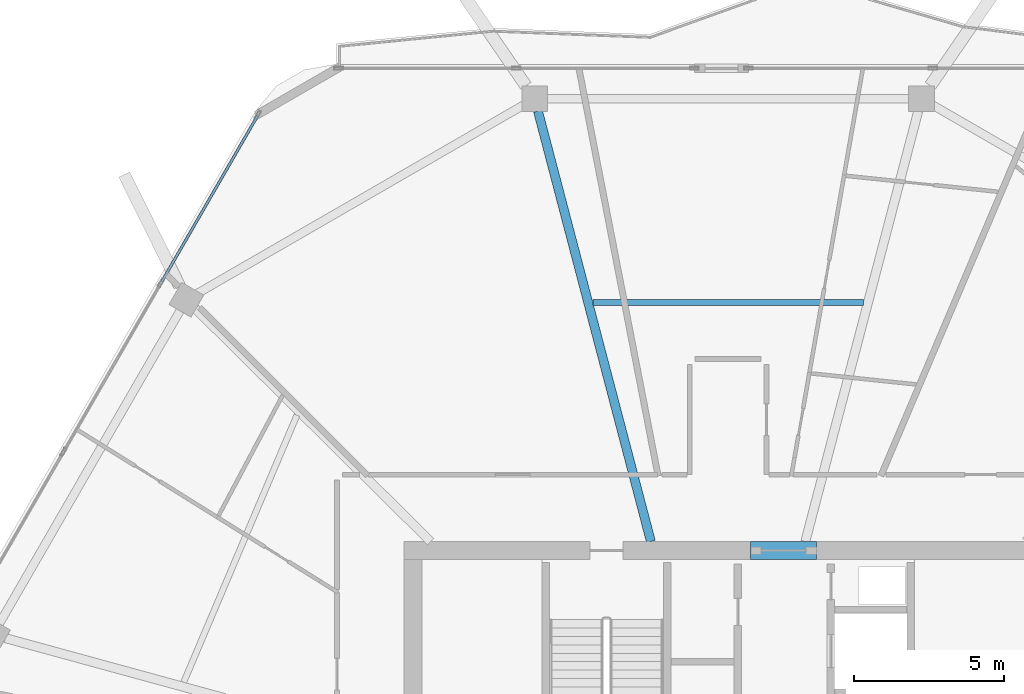
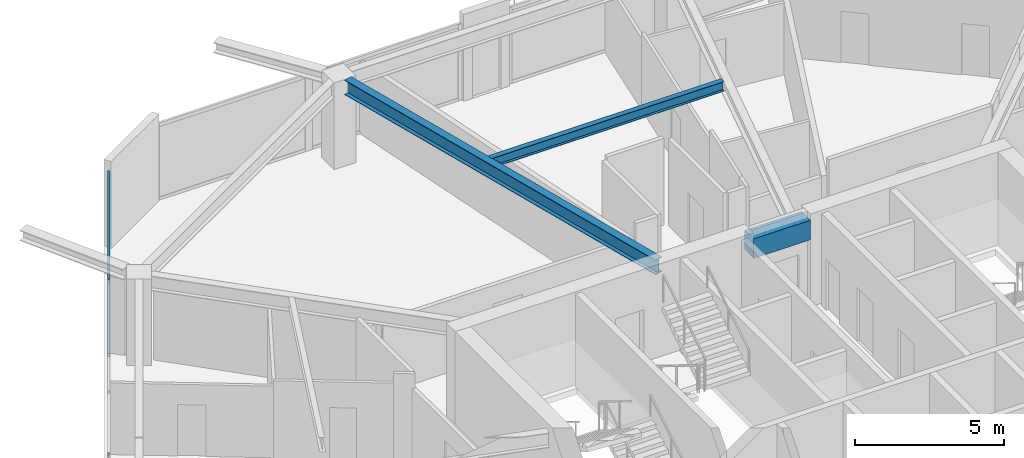
# One storey, part 12 of 26: 3 beams, 2 members, 1 element without a shape of its own.
"""IFC4 building model written with IfcOpenShell, lengths in metres."""

from ifc_helpers import new_model, si_unit, direction, frame, origin, origin_2d, place, context, subcontext, project, spatial, rectangle, hollow_rectangle, i_section, extrude, material, material_profile, profile_set, type_object, element, aggregate, save


model = new_model("IFC4")

# Units and contexts
model_context = context("Model", 3, precision=1e-05, world=origin(), true_north=direction((0.0, 1.0)))
body_context = subcontext(model_context, "Body", "Model", "MODEL_VIEW")
ifc_project = project(units=[si_unit("LENGTHUNIT", "METRE"), si_unit("AREAUNIT", "SQUARE_METRE"), si_unit("VOLUMEUNIT", "CUBIC_METRE"), si_unit("PLANEANGLEUNIT", "RADIAN"), si_unit("MASSUNIT", "GRAM", prefix="KILO")], contexts=[model_context])

# Site, building, storey
site_placement = place(None, origin())
site = spatial("IfcSite", under=ifc_project, at=site_placement, CompositionType="ELEMENT")
building_placement = place(site_placement, origin())
building = spatial("IfcBuilding", under=site, at=building_placement, Name="Zuhravey Tower", CompositionType="ELEMENT")
storey_placement = place(building_placement, frame((0.0, 0.0, 288.199951171875)))
storey = spatial("IfcBuildingStorey", under=building, at=storey_placement, Name="L73", CompositionType="ELEMENT", Elevation=288.199951171875)

# Beam
ifc_material_1 = material(Name="Concrete C50/60", Category="concrete")
ifc_material_profile_1 = material_profile(ifc_material_1, rectangle(XDim=0.60009765625, YDim=0.800048828125, at=origin_2d()), Name="RC-600x800")
ifc_profile_set_1 = profile_set([ifc_material_profile_1], Name="Concrete C50/60")
beam_type_1 = type_object("IfcBeamType", Name="Core Coupling Beam RC600x800", PredefinedType="LINTEL", material=ifc_profile_set_1)
beam_1_placement = place(storey_placement, frame((36.751953125, 41.5, 3.150146484375), z_axis=(1.0, 0.0, 0.0), x_axis=(0.0, 1.0, 0.0)))
element("IfcBeam", 1, at=beam_1_placement, inside=storey, type_object=beam_type_1, Name="L73 CB2 BM-L73-CB-N", PredefinedType="LINTEL", context=body_context, shape_type="SweptSolid", body=[
    extrude(rectangle(XDim=0.60009765625, YDim=0.800048828125, at=origin_2d()), origin(), (0.0, 0.0, 1.0), 2.196044921875),
])

# Curtain wall, members
ifc_material_2 = material(Name="Thermally broken anodised aluminium", Category="aluminium")
curtain_wall_type = type_object("IfcCurtainWallType", Name="Zone 3-4 High-Rise Curtain Wall CW4", PredefinedType="NOTDEFINED", material=ifc_material_2)
curtain_wall_placement = place(storey_placement, origin())
curtain_wall = element("IfcCurtainWall", 2, at=curtain_wall_placement, inside=storey, type_object=curtain_wall_type, Name="L73 CW4 CW-L73-F3-1", PredefinedType="NOTDEFINED")
ifc_material_3 = material(Name="Anodised aluminium", Category="aluminium")
ifc_material_profile_2 = material_profile(ifc_material_3, hollow_rectangle(XDim=0.090087890625, YDim=0.14990234375, WallThickness=0.0048828125, at=origin_2d()), Name="ALU-RHS-90x150x5")
ifc_profile_set_2 = profile_set([ifc_material_profile_2], Name="Anodised aluminium")
member_type = type_object("IfcMemberType", Name="Curtain-Wall Transom 90x150", PredefinedType="USERDEFINED", material=ifc_profile_set_2)
member_1_placement = place(storey_placement, frame((17.136962890625, 50.455322265625, 0.045166015625), z_axis=(0.499980071345, 0.866036909293, 0.0), x_axis=(-0.866036909293, 0.499980071345, 0.0)))
member_1 = element("IfcMember", 3, at=member_1_placement, type_object=member_type, Name="CW4 transom 4.1", ObjectType="TRANSOM", PredefinedType="USERDEFINED", context=body_context, shape_type="SweptSolid", body=[
    extrude(hollow_rectangle(XDim=0.090087890625, YDim=0.14990234375, WallThickness=0.0048828125, at=origin_2d()), origin(), (0.0, 0.0, 1.0), 6.371337890625),
])
member_2_placement = place(storey_placement, frame((17.136962890625, 50.455322265625, 3.0771484375), z_axis=(0.499980071345, 0.866036909293, 0.0), x_axis=(-0.866036909293, 0.499980071345, 0.0)))
member_2 = element("IfcMember", 4, at=member_2_placement, type_object=member_type, Name="CW4 transom 4.2", ObjectType="TRANSOM", PredefinedType="USERDEFINED", context=body_context, shape_type="SweptSolid", body=[
    extrude(hollow_rectangle(XDim=0.090087890625, YDim=0.14990234375, WallThickness=0.0048828125, at=origin_2d()), origin(), (0.0, 0.0, 1.0), 6.371337890625),
])
aggregate(curtain_wall, [member_1, member_2])

# Beams
ifc_material_4 = material(Name="Steel SM355", Category="steel")
ifc_material_profile_3 = material_profile(ifc_material_4, i_section(OverallWidth=0.300048828125, OverallDepth=0.60009765625, WebThickness=0.011962890625, FlangeThickness=0.02001953125, at=origin_2d()), Name="H-600x300x12x20")
ifc_profile_set_3 = profile_set([ifc_material_profile_3], Name="Steel SM355")
beam_type_2 = type_object("IfcBeamType", Name="Radial Primary Girder H600x300", PredefinedType="BEAM", material=ifc_profile_set_3)
beam_2_placement = place(storey_placement, frame((33.428466796875, 41.802978515625, 3.25), z_axis=(-0.25373188956, 0.967274587809, 0.0), x_axis=(-0.967274587809, -0.25373188956, 0.0)))
element("IfcBeam", 5, at=beam_2_placement, inside=storey, type_object=beam_type_2, Name="L73 RG3 BM-L73-RAD-04", PredefinedType="BEAM", context=body_context, shape_type="SweptSolid", body=[
    extrude(i_section(OverallWidth=0.300048828125, OverallDepth=0.60009765625, WebThickness=0.011962890625, FlangeThickness=0.02001953125, at=origin_2d()), origin(), (0.0, 0.0, 1.0), 14.82177734375),
])
ifc_material_profile_4 = material_profile(ifc_material_4, i_section(OverallWidth=0.199951171875, OverallDepth=0.39990234375, WebThickness=0.008056640625, FlangeThickness=0.012939453125, at=origin_2d()), Name="H-400x200x8x13")
ifc_profile_set_4 = profile_set([ifc_material_profile_4], Name="Steel SM355")
beam_type_3 = type_object("IfcBeamType", Name="Secondary Floor Joist H400x200", PredefinedType="JOIST", material=ifc_profile_set_4)
beam_3_placement = place(storey_placement, frame((40.507080078125, 49.768310546875, 3.35009765625), z_axis=(-1.0, 0.0, 0.0), x_axis=(0.0, -1.0, 0.0)))
element("IfcBeam", 6, at=beam_3_placement, inside=storey, type_object=beam_type_3, Name="L73 SJ2 BM-L73-SJ-03-1", PredefinedType="JOIST", context=body_context, shape_type="SweptSolid", body=[
    extrude(i_section(OverallWidth=0.199951171875, OverallDepth=0.39990234375, WebThickness=0.008056640625, FlangeThickness=0.012939453125, at=origin_2d()), origin(), (0.0, 0.0, 1.0), 9.01416015625),
])

save(model, "model.ifc")
